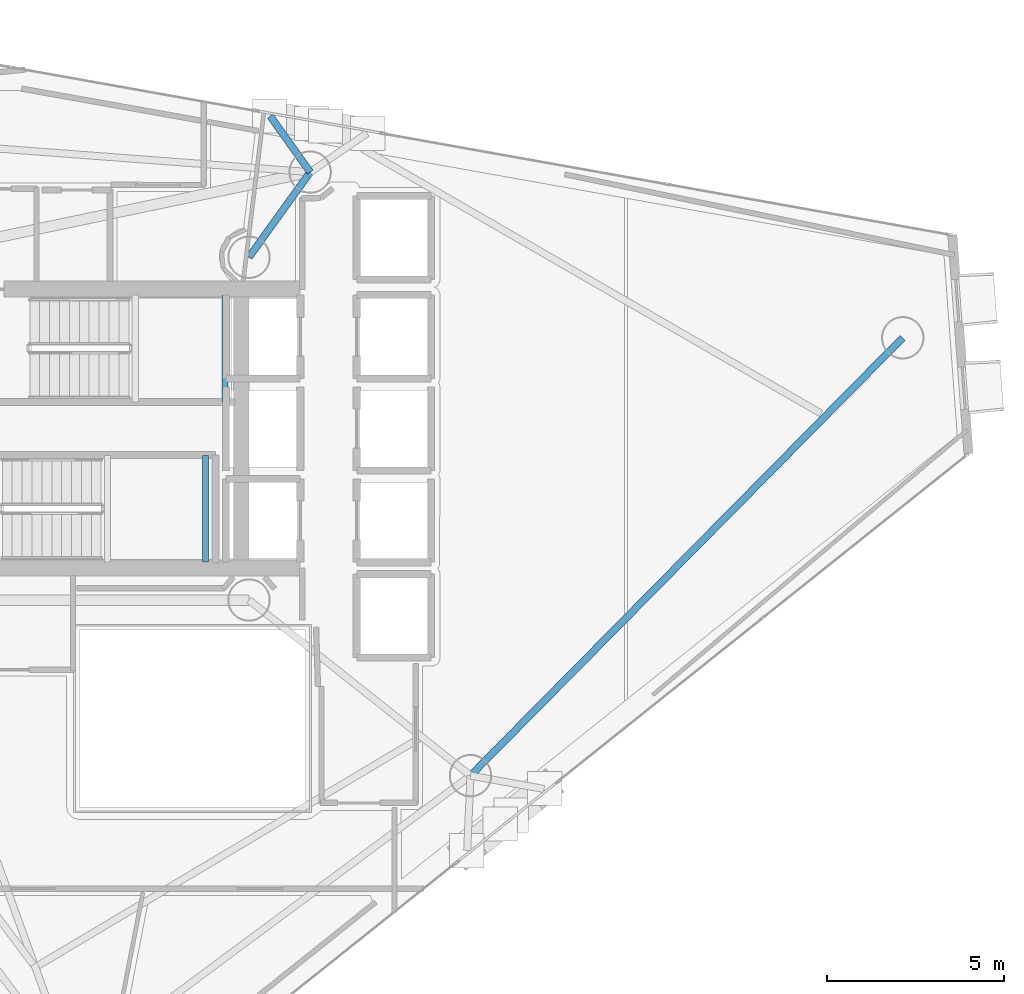
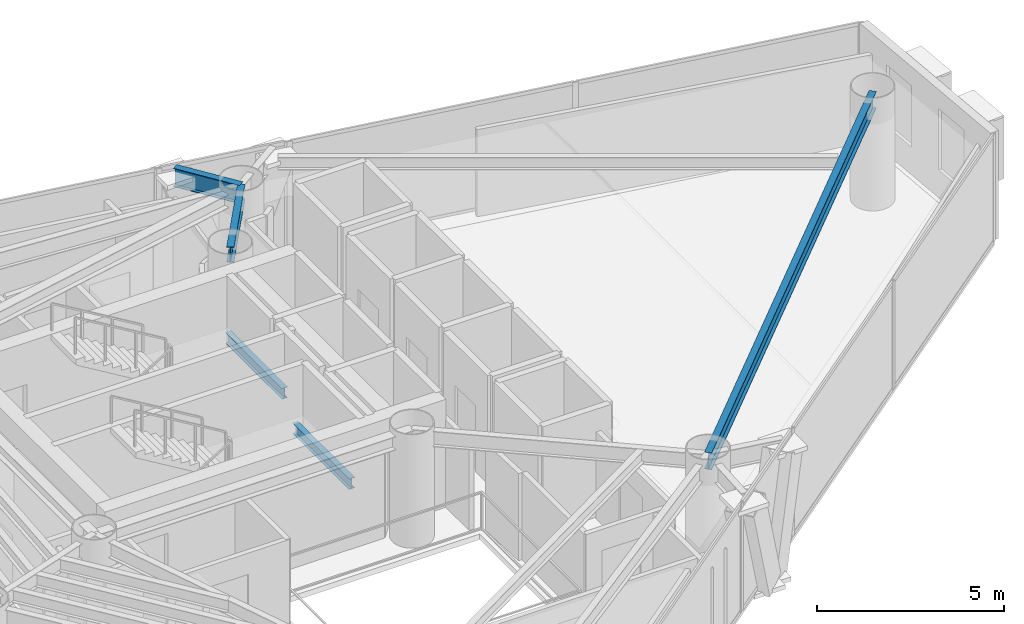
# One storey, part 11 of 22: 5 beams.
"""IFC4 building model written with IfcOpenShell, lengths in metres."""

from ifc_helpers import new_model, si_unit, direction, frame, origin, origin_2d, place, context, subcontext, project, spatial, i_section, extrude, material, material_profile, profile_set, type_object, element, save


model = new_model("IFC4")

# Units and contexts
model_context = context("Model", 3, precision=1e-05, world=origin(), true_north=direction((0.0, 1.0)))
body_context = subcontext(model_context, "Body", "Model", "MODEL_VIEW")
ifc_project = project(units=[si_unit("LENGTHUNIT", "METRE"), si_unit("AREAUNIT", "SQUARE_METRE"), si_unit("VOLUMEUNIT", "CUBIC_METRE"), si_unit("PLANEANGLEUNIT", "RADIAN"), si_unit("MASSUNIT", "GRAM", prefix="KILO")], contexts=[model_context])

# Site, building, storey
site_placement = place(None, origin())
site = spatial("IfcSite", under=ifc_project, at=site_placement, CompositionType="ELEMENT")
building_placement = place(site_placement, origin())
building = spatial("IfcBuilding", under=site, at=building_placement, Name="Qianvela Tower", CompositionType="ELEMENT")
storey_placement = place(building_placement, frame((0.0, 0.0, 207.699951171875)))
storey = spatial("IfcBuildingStorey", under=building, at=storey_placement, Name="L53", CompositionType="ELEMENT", Elevation=207.699951171875)

# Beams
ifc_material_1 = material(Name="Steel Q355B", Category="steel")
ifc_material_profile_1 = material_profile(ifc_material_1, i_section(OverallWidth=0.175048828125, OverallDepth=0.35009765625, WebThickness=0.007080078125, FlangeThickness=0.010986328125, at=origin_2d()), Name="HN350x175x7x11")
ifc_profile_set_1 = profile_set([ifc_material_profile_1], Name="Steel Q355B")
beam_type_1 = type_object("IfcBeamType", Name="BM-HN350-JOIST", PredefinedType="JOIST", material=ifc_profile_set_1)
for number, where, z_axis, x_axis, name in (
    (1, (37.719970703125, 29.4599609375, 1.47509765625), (0.0, 1.0, 0.0), (-1.0, 0.0, 0.0), "L53 Stair ST-1 Landing Support Beam 1.2"),
    (2, (37.169921875, 24.919921875, 1.47509765625), (0.0, 1.0, 0.0), (-1.0, 0.0, 0.0), "L53 Stair ST-2 Landing Support Beam 1.2"),
):
    element("IfcBeam", number, at=place(storey_placement, frame(where, z_axis=z_axis, x_axis=x_axis)), inside=storey, type_object=beam_type_1, Name=name, PredefinedType="JOIST", context=body_context, shape_type="SweptSolid", body=[
        extrude(i_section(OverallWidth=0.175048828125, OverallDepth=0.35009765625, WebThickness=0.007080078125, FlangeThickness=0.010986328125, at=origin_2d()), origin(), (0.0, 0.0, 1.0), 3.02001953125),
    ])
ifc_material_2 = material(Name="Steel Q355B", Category="steel")
ifc_material_profile_2 = material_profile(ifc_material_2, i_section(OverallWidth=0.199951171875, OverallDepth=0.5, WebThickness=0.010009765625, FlangeThickness=0.01611328125, at=origin_2d()), Name="HN500x200x10x16")
ifc_profile_set_2 = profile_set([ifc_material_profile_2], Name="Steel Q355B")
beam_type_2 = type_object("IfcBeamType", Name="BM-HN500-GIRD", PredefinedType="BEAM", material=ifc_profile_set_2)
beam_1_placement = place(storey_placement, frame((38.39990234375, 33.550048828125, 3.26806640625), z_axis=(0.583742907536, 0.811938555496, 0.0), x_axis=(-0.811938555496, 0.583742907536, 0.0)))
element("IfcBeam", 3, at=beam_1_placement, inside=storey, type_object=beam_type_2, Name="L53 Radial Primary Floor Girder 2", PredefinedType="BEAM", context=body_context, shape_type="SweptSolid", body=[
    extrude(i_section(OverallWidth=0.199951171875, OverallDepth=0.5, WebThickness=0.010009765625, FlangeThickness=0.01611328125, at=origin_2d()), origin(), (0.0, 0.0, 1.0), 2.965576171875),
])
ifc_material_3 = material(Name="Steel Q355B", Category="steel")
ifc_material_profile_3 = material_profile(ifc_material_3, i_section(OverallWidth=0.199951171875, OverallDepth=0.550048828125, WebThickness=0.010009765625, FlangeThickness=0.01611328125, at=origin_2d()), Name="HN550x200x10x16")
ifc_profile_set_3 = profile_set([ifc_material_profile_3], Name="Steel Q355B")
beam_type_3 = type_object("IfcBeamType", Name="BM-HN550-GIRD", PredefinedType="BEAM", material=ifc_profile_set_3)
beam_2_placement = place(storey_placement, frame((44.6669921875, 18.883056640625, 3.2431640625), z_axis=(0.702583270685, 0.711601537205, 0.0), x_axis=(-0.711601537205, 0.702583270685, 0.0)))
element("IfcBeam", 4, at=beam_2_placement, inside=storey, type_object=beam_type_3, Name="L53 Perimeter Ring Spandrel Girder 6", PredefinedType="BEAM", context=body_context, shape_type="SweptSolid", body=[
    extrude(i_section(OverallWidth=0.199951171875, OverallDepth=0.550048828125, WebThickness=0.010009765625, FlangeThickness=0.01611328125, at=origin_2d()), origin(), (0.0, 0.0, 1.0), 17.4072265625),
])
ifc_material_4 = material(Name="Steel Q355B", Category="steel")
ifc_material_profile_4 = material_profile(ifc_material_4, i_section(OverallWidth=0.199951171875, OverallDepth=0.60009765625, WebThickness=0.010986328125, FlangeThickness=0.01708984375, at=origin_2d()), Name="HN600x200x11x17")
ifc_profile_set_4 = profile_set([ifc_material_profile_4], Name="Steel Q355B")
beam_type_4 = type_object("IfcBeamType", Name="BM-HN600-GIRD", PredefinedType="BEAM", material=ifc_profile_set_4)
beam_3_placement = place(storey_placement, frame((40.131103515625, 35.9580078125, 3.218017578125), z_axis=(-0.580585606417, 0.814199210035, 0.0), x_axis=(-0.814199210035, -0.580585606417, 0.0)))
element("IfcBeam", 5, at=beam_3_placement, inside=storey, type_object=beam_type_4, Name="L53 Mega-Brace Column Tie Bracket F1-2", PredefinedType="BEAM", context=body_context, shape_type="SweptSolid", body=[
    extrude(i_section(OverallWidth=0.199951171875, OverallDepth=0.60009765625, WebThickness=0.010986328125, FlangeThickness=0.01708984375, at=origin_2d()), origin(), (0.0, 0.0, 1.0), 1.947021484375),
])

save(model, "model.ifc")
